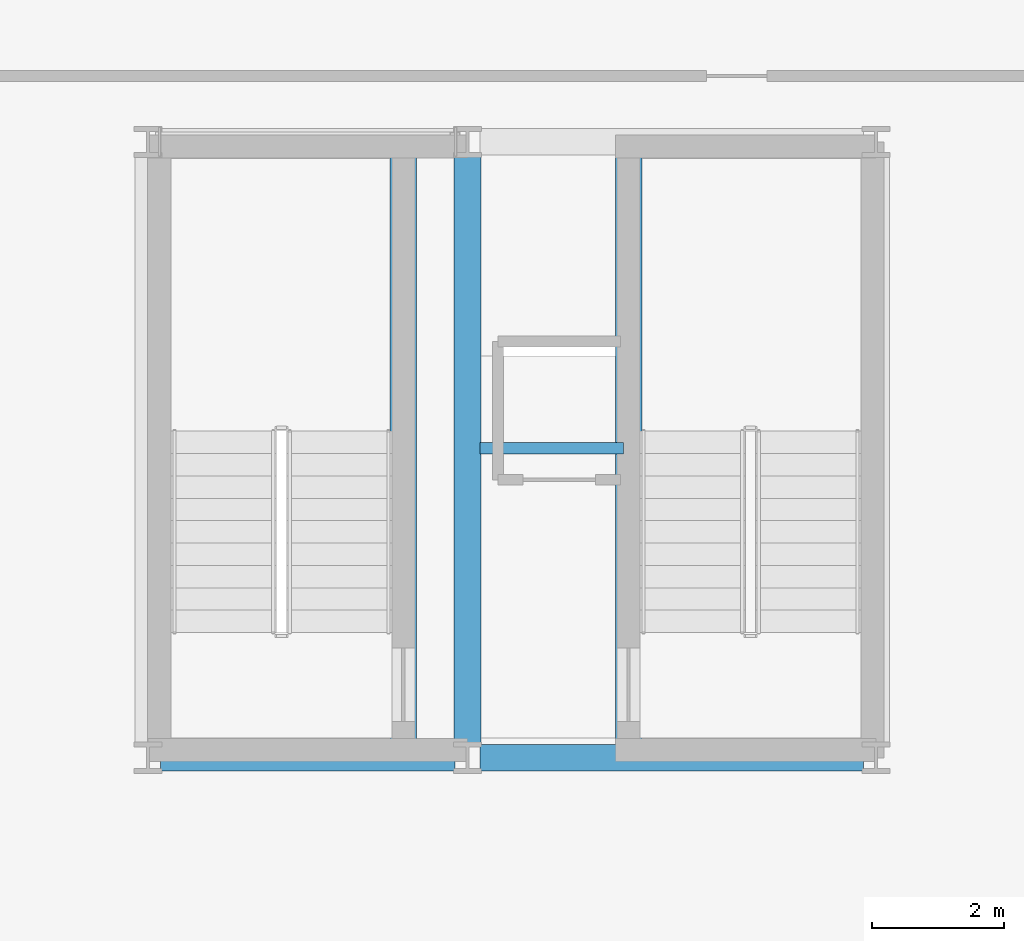
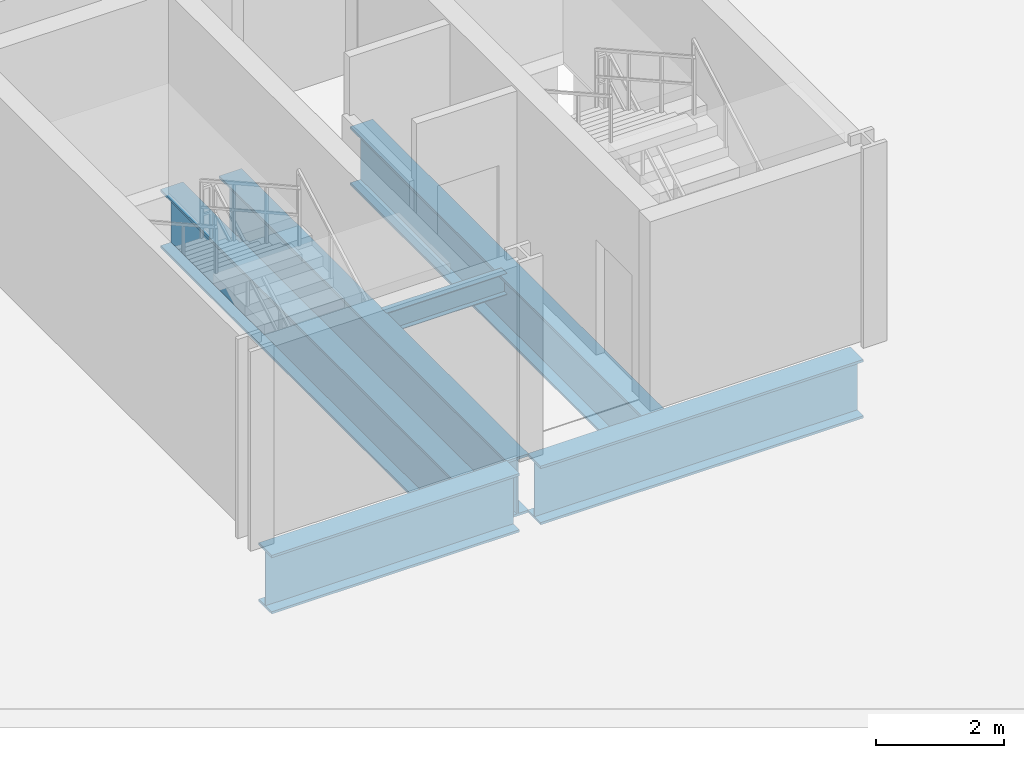
# One storey, part 8 of 19: 6 beams.
"""IFC4 building model written with IfcOpenShell, lengths in metres."""

from ifc_helpers import new_model, si_unit, direction, frame, origin, origin_2d, place, context, subcontext, project, spatial, i_section, extrude, material, material_profile, profile_set, type_object, element, save


model = new_model("IFC4")

# Units and contexts
model_context = context("Model", 3, precision=1e-05, world=origin(), true_north=direction((0.0, 1.0)))
body_context = subcontext(model_context, "Body", "Model", "MODEL_VIEW")
ifc_project = project(units=[si_unit("LENGTHUNIT", "METRE"), si_unit("AREAUNIT", "SQUARE_METRE"), si_unit("VOLUMEUNIT", "CUBIC_METRE"), si_unit("PLANEANGLEUNIT", "RADIAN"), si_unit("MASSUNIT", "GRAM", prefix="KILO")], contexts=[model_context])

# Site, building, storey
site_placement = place(None, origin())
site = spatial("IfcSite", under=ifc_project, at=site_placement, CompositionType="ELEMENT")
building_placement = place(site_placement, origin())
building = spatial("IfcBuilding", under=site, at=building_placement, Name="Zuhayl Quay Hotel", CompositionType="ELEMENT")
storey_placement = place(building_placement, frame((0.0, 0.0, 304.85009765625)))
storey = spatial("IfcBuildingStorey", under=building, at=storey_placement, Name="Crown 3", CompositionType="ELEMENT", Elevation=304.85009765625)

# Beams
ifc_material_1 = material(Name="Steel ASTM A992 Grade 50", Category="steel")
ifc_material_profile_1 = material_profile(ifc_material_1, i_section(OverallWidth=0.177978515625, OverallDepth=0.404052734375, WebThickness=0.007568359375, FlangeThickness=0.010986328125, at=origin_2d()), Name="W16X36")
ifc_profile_set_1 = profile_set([ifc_material_profile_1], Name="Steel ASTM A992 Grade 50")
beam_type_1 = type_object("IfcBeamType", Name="BM_J3_W16X36", PredefinedType="JOIST", material=ifc_profile_set_1)
beam_1_placement = place(storey_placement, frame((-4.409912109375, 29.800048828125, -0.442138671875), z_axis=(1.0, 0.0, 0.0), x_axis=(0.0, 1.0, 0.0)))
element("IfcBeam", 1, at=beam_1_placement, inside=storey, type_object=beam_type_1, Name="Crown 3 Floor Beam CR_J_3_1", PredefinedType="JOIST", context=body_context, shape_type="SweptSolid", body=[
    extrude(i_section(OverallWidth=0.177978515625, OverallDepth=0.404052734375, WebThickness=0.007568359375, FlangeThickness=0.010986328125, at=origin_2d()), origin(), (0.0, 0.0, 1.0), 2.1748046875),
])
ifc_material_2 = material(Name="Steel ASTM A913 Grade 65", Category="steel")
ifc_material_profile_2 = material_profile(ifc_material_2, i_section(OverallWidth=0.404052734375, OverallDepth=1.117919921875, WebThickness=0.026123046875, FlangeThickness=0.044921875, at=origin_2d()), Name="W44X335")
ifc_profile_set_2 = profile_set([ifc_material_profile_2], Name="Steel ASTM A913 Grade 65")
beam_type_2 = type_object("IfcBeamType", Name="BM_TG1_W44X335", PredefinedType="BEAM", material=ifc_profile_set_2)
beam_2_placement = place(storey_placement, frame((-9.260009765625, 25.10009765625, -0.799072265625), z_axis=(1.0, 0.0, 0.0), x_axis=(0.0, 1.0, 0.0)))
element("IfcBeam", 2, at=beam_2_placement, inside=storey, type_object=beam_type_2, Name="Crown 3 Floor Beam CR_EW_3_1_1", PredefinedType="BEAM", context=body_context, shape_type="SweptSolid", body=[
    extrude(i_section(OverallWidth=0.404052734375, OverallDepth=1.117919921875, WebThickness=0.026123046875, FlangeThickness=0.044921875, at=origin_2d()), origin(), (0.0, 0.0, 1.0), 4.469970703125),
])
beam_3_placement = place(storey_placement, frame((-4.409912109375, 25.10009765625, -0.799072265625), z_axis=(1.0, 0.0, 0.0), x_axis=(0.0, 1.0, 0.0)))
element("IfcBeam", 3, at=beam_3_placement, inside=storey, type_object=beam_type_2, Name="Crown 3 Floor Beam CR_EW_3_1_2", PredefinedType="BEAM", context=body_context, shape_type="SweptSolid", body=[
    extrude(i_section(OverallWidth=0.404052734375, OverallDepth=1.117919921875, WebThickness=0.026123046875, FlangeThickness=0.044921875, at=origin_2d()), origin(), (0.0, 0.0, 1.0), 5.81982421875),
])
beam_4_placement = place(storey_placement, frame((-4.60009765625, 25.2900390625, -0.799072265625), z_axis=(0.0, 1.0, 0.0), x_axis=(-1.0, 0.0, 0.0)))
element("IfcBeam", 4, at=beam_4_placement, inside=storey, type_object=beam_type_2, Name="Crown 3 Floor Beam CR_NS_3_2", PredefinedType="BEAM", context=body_context, shape_type="SweptSolid", body=[
    extrude(i_section(OverallWidth=0.404052734375, OverallDepth=1.117919921875, WebThickness=0.026123046875, FlangeThickness=0.044921875, at=origin_2d()), origin(), (0.0, 0.0, 1.0), 8.969970703125),
])
for number, where, z_axis, x_axis, name in (
    (5, (-5.574951171875, 25.14990234375, -0.799072265625), (0.0, 1.0, 0.0), (-1.0, 0.0, 0.0), "Crown 3 Floor Beam CR_ST5_E_3"),
    (6, (-2.155029296875, 25.14990234375, -0.799072265625), (0.0, 1.0, 0.0), (-1.0, 0.0, 0.0), "Crown 3 Floor Beam CR_ST6_W_3"),
):
    element("IfcBeam", number, at=place(storey_placement, frame(where, z_axis=z_axis, x_axis=x_axis)), inside=storey, type_object=beam_type_2, Name=name, PredefinedType="BEAM", context=body_context, shape_type="SweptSolid", body=[
        extrude(i_section(OverallWidth=0.404052734375, OverallDepth=1.117919921875, WebThickness=0.026123046875, FlangeThickness=0.044921875, at=origin_2d()), origin(), (0.0, 0.0, 1.0), 9.25),
    ])

save(model, "model.ifc")
